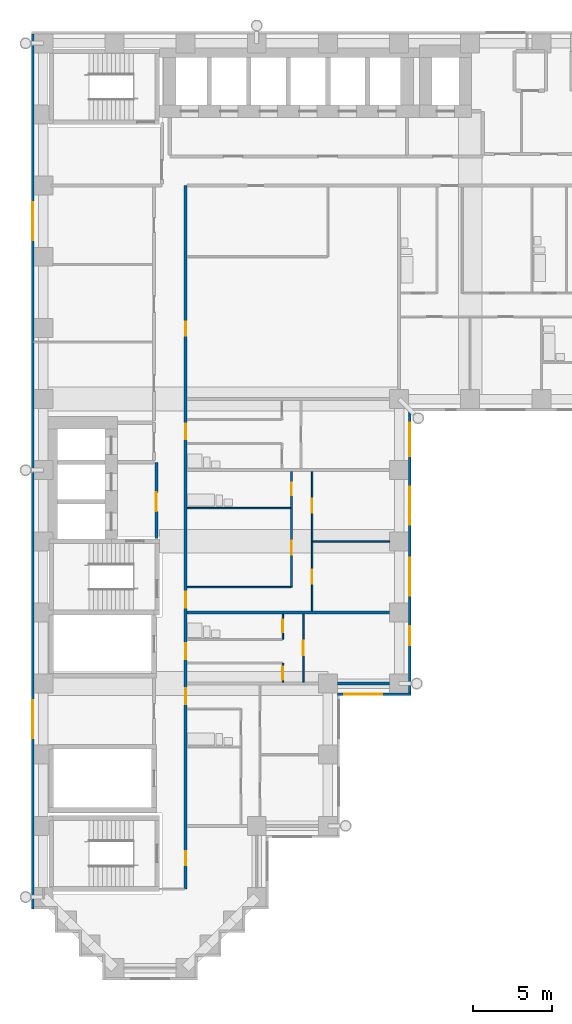
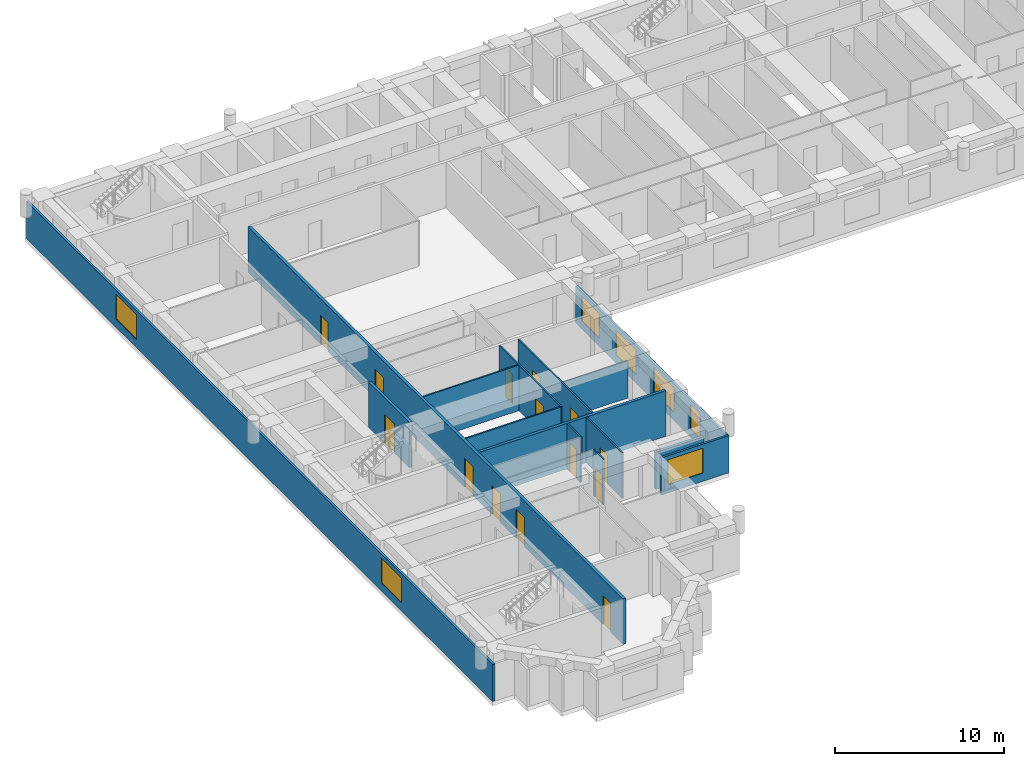
# One storey, part 6 of 14: 15 walls, 14 doors, 7 windows, 21 openings.
"""IFC4 building model written with IfcOpenShell, lengths in metres."""

from ifc_helpers import new_model, si_unit, direction, frame, frame_2d, origin, place, context, subcontext, project, spatial, rectangle, extrude, material, layer, layer_set, type_object, element, fill, save


model = new_model("IFC4")

# Units and contexts
model_context = context("Model", 3, precision=1e-05, world=origin(), true_north=direction((0.0, 1.0)))
body_context = subcontext(model_context, "Body", "Model", "MODEL_VIEW")
ifc_project = project(units=[si_unit("LENGTHUNIT", "METRE"), si_unit("AREAUNIT", "SQUARE_METRE"), si_unit("VOLUMEUNIT", "CUBIC_METRE"), si_unit("PLANEANGLEUNIT", "RADIAN"), si_unit("MASSUNIT", "GRAM", prefix="KILO")], contexts=[model_context])

# Site, building, storey
site_placement = place(None, origin())
site = spatial("IfcSite", under=ifc_project, at=site_placement, CompositionType="ELEMENT")
building_placement = place(site_placement, origin())
building = spatial("IfcBuilding", under=site, at=building_placement, Name="Firuza Court", CompositionType="ELEMENT")
storey_placement = place(building_placement, frame((0.0, 0.0, 47.0)))
storey = spatial("IfcBuildingStorey", under=building, at=storey_placement, Name="L10", CompositionType="ELEMENT", Elevation=47.0)

# Wall
ifc_material_1 = material(Name="Moisture-resistant gypsum board partition")
ifc_layer_1 = layer(ifc_material_1, 0.10009765625)
ifc_layer_set_1 = layer_set([ifc_layer_1], Name="Moisture-resistant gypsum board partition")
wall_type_1 = type_object("IfcWallType", Name="Bathroom partition 100", PredefinedType="PLUMBINGWALL", material=ifc_layer_set_1)
wall_1_placement = place(storey_placement, frame((9.10009765625, 29.10009765625, 0.0), z_axis=(0.0, 0.0, 1.0), x_axis=(1.0, 0.0, 0.0)))
element("IfcWall", 1, at=wall_1_placement, inside=storey, type_object=wall_type_1, Name="Bathroom partition 100 L10", PredefinedType="PLUMBINGWALL", context=body_context, shape_type="SweptSolid", body=[
    extrude(rectangle(XDim=6.5498046875, YDim=0.10009765625, at=frame_2d((3.27490234375, 0.0))), origin(), (0.0, 0.0, 1.0), 3.300048828125),
])

# Wall, openings, doors
ifc_material_2 = material(Name="Blockwork, plastered both sides", Category="masonry")
ifc_layer_2 = layer(ifc_material_2, 0.199951171875)
ifc_layer_set_2 = layer_set([ifc_layer_2], Name="Blockwork, plastered both sides")
wall_type_2 = type_object("IfcWallType", Name="Corridor wall 200", PredefinedType="PARTITIONING", material=ifc_layer_set_2)
wall_2_placement = place(storey_placement, frame((9.0, 5.0, 0.0), z_axis=(0.0, 0.0, 1.0), x_axis=(0.0, 1.0, 0.0)))
wall_2 = element("IfcWall", 2, at=wall_2_placement, inside=storey, type_object=wall_type_2, Name="Corridor wall 200 L10", PredefinedType="PARTITIONING", context=body_context, shape_type="SweptSolid", body=[
    extrude(rectangle(XDim=44.5, YDim=0.199951171875, at=frame_2d((22.25, 0.0))), origin(), (0.0, 0.0, 1.0), 3.300048828125),
])
opening_1_placement = place(wall_2_placement, frame((28.449951171875, 0.0, 0.0)))
opening_1 = element("IfcOpeningElement", 3, at=opening_1_placement, cuts=wall_2, Name="Opening D10019", PredefinedType="OPENING", context=body_context, shape_type="SweptSolid", body=[
    extrude(rectangle(XDim=1.0, YDim=2.10009765625, at=frame_2d((0.5, 1.050048828125))), frame((0.0, 0.11181640625, 0.0), z_axis=(0.0, -1.0, 0.0), x_axis=(1.0, 0.0, 0.0)), (0.0, 0.0, 1.0), 0.223876953125),
])
opening_2_placement = place(wall_2_placement, frame((17.800048828125, 0.0, 0.0)))
opening_2 = element("IfcOpeningElement", 4, at=opening_2_placement, cuts=wall_2, Name="Opening D10020", PredefinedType="OPENING", context=body_context, shape_type="SweptSolid", body=[
    extrude(rectangle(XDim=1.0, YDim=2.10009765625, at=frame_2d((0.5, 1.050048828125))), frame((0.0, 0.11181640625, 0.0), z_axis=(0.0, -1.0, 0.0), x_axis=(1.0, 0.0, 0.0)), (0.0, 0.0, 1.0), 0.223876953125),
])
opening_3_placement = place(wall_2_placement, frame((14.550048828125, 0.0, 0.0)))
opening_3 = element("IfcOpeningElement", 5, at=opening_3_placement, cuts=wall_2, Name="Opening D10021", PredefinedType="OPENING", context=body_context, shape_type="SweptSolid", body=[
    extrude(rectangle(XDim=1.0, YDim=2.10009765625, at=frame_2d((0.5, 1.050048828125))), frame((0.0, 0.11181640625, 0.0), z_axis=(0.0, -1.0, 0.0), x_axis=(1.0, 0.0, 0.0)), (0.0, 0.0, 1.0), 0.223876953125),
])
opening_4_placement = place(wall_2_placement, frame((11.699951171875, 0.0, 0.0)))
opening_4 = element("IfcOpeningElement", 6, at=opening_4_placement, cuts=wall_2, Name="Opening D10022", PredefinedType="OPENING", context=body_context, shape_type="SweptSolid", body=[
    extrude(rectangle(XDim=1.0, YDim=2.10009765625, at=frame_2d((0.5, 1.050048828125))), frame((0.0, 0.11181640625, 0.0), z_axis=(0.0, -1.0, 0.0), x_axis=(1.0, 0.0, 0.0)), (0.0, 0.0, 1.0), 0.223876953125),
])
opening_5_placement = place(wall_2_placement, frame((35.0, 0.0, 0.0)))
opening_5 = element("IfcOpeningElement", 7, at=opening_5_placement, cuts=wall_2, Name="Opening D10023", PredefinedType="OPENING", context=body_context, shape_type="SweptSolid", body=[
    extrude(rectangle(XDim=0.89990234375, YDim=2.10009765625, at=frame_2d((0.449951171875, 1.050048828125))), frame((0.0, 0.11181640625, 0.0), z_axis=(0.0, -1.0, 0.0), x_axis=(1.0, 0.0, 0.0)), (0.0, 0.0, 1.0), 0.223876953125),
])
opening_6_placement = place(wall_2_placement, frame((1.5, 0.0, 0.0)))
opening_6 = element("IfcOpeningElement", 8, at=opening_6_placement, cuts=wall_2, Name="Opening D10024", PredefinedType="OPENING", context=body_context, shape_type="SweptSolid", body=[
    extrude(rectangle(XDim=0.89990234375, YDim=2.10009765625, at=frame_2d((0.449951171875, 1.050048828125))), frame((0.0, 0.11181640625, 0.0), z_axis=(0.0, -1.0, 0.0), x_axis=(1.0, 0.0, 0.0)), (0.0, 0.0, 1.0), 0.223876953125),
])
ifc_material_3 = material(Name="Timber door leaf in hardwood frame", Category="wood")
door_type_1 = type_object("IfcDoorType", Name="Flat entrance door 1000", OperationType="SINGLE_SWING_LEFT", PredefinedType="DOOR", material=ifc_material_3)
door_1_placement = place(opening_1_placement, origin())
door_1 = element("IfcDoor", 9, at=door_1_placement, inside=storey, type_object=door_type_1, Name="Flat entrance door", OperationType="SINGLE_SWING_LEFT", OverallHeight=2.10009765625, OverallWidth=1.0, PredefinedType="DOOR", context=body_context, shape_type="SweptSolid", body=[
    extrude(rectangle(XDim=1.0, YDim=2.10009765625, at=frame_2d((0.5, 1.050048828125))), frame((0.0, 0.02490234375, 0.0), z_axis=(0.0, -1.0, 0.0), x_axis=(1.0, 0.0, 0.0)), (0.0, 0.0, 1.0), 0.050048828125),
])
fill(opening_1, door_1)
door_2_placement = place(opening_2_placement, origin())
door_2 = element("IfcDoor", 10, at=door_2_placement, inside=storey, type_object=door_type_1, Name="Flat entrance door", OperationType="SINGLE_SWING_LEFT", OverallHeight=2.10009765625, OverallWidth=1.0, PredefinedType="DOOR", context=body_context, shape_type="SweptSolid", body=[
    extrude(rectangle(XDim=1.0, YDim=2.10009765625, at=frame_2d((0.5, 1.050048828125))), frame((0.0, 0.02490234375, 0.0), z_axis=(0.0, -1.0, 0.0), x_axis=(1.0, 0.0, 0.0)), (0.0, 0.0, 1.0), 0.050048828125),
])
fill(opening_2, door_2)
door_3_placement = place(opening_3_placement, origin())
door_3 = element("IfcDoor", 11, at=door_3_placement, inside=storey, type_object=door_type_1, Name="Flat entrance door", OperationType="SINGLE_SWING_LEFT", OverallHeight=2.10009765625, OverallWidth=1.0, PredefinedType="DOOR", context=body_context, shape_type="SweptSolid", body=[
    extrude(rectangle(XDim=1.0, YDim=2.10009765625, at=frame_2d((0.5, 1.050048828125))), frame((0.0, 0.02490234375, 0.0), z_axis=(0.0, -1.0, 0.0), x_axis=(1.0, 0.0, 0.0)), (0.0, 0.0, 1.0), 0.050048828125),
])
fill(opening_3, door_3)
door_4_placement = place(opening_4_placement, origin())
door_4 = element("IfcDoor", 12, at=door_4_placement, inside=storey, type_object=door_type_1, Name="Flat entrance door", OperationType="SINGLE_SWING_LEFT", OverallHeight=2.10009765625, OverallWidth=1.0, PredefinedType="DOOR", context=body_context, shape_type="SweptSolid", body=[
    extrude(rectangle(XDim=1.0, YDim=2.10009765625, at=frame_2d((0.5, 1.050048828125))), frame((0.0, 0.02490234375, 0.0), z_axis=(0.0, -1.0, 0.0), x_axis=(1.0, 0.0, 0.0)), (0.0, 0.0, 1.0), 0.050048828125),
])
fill(opening_4, door_4)
ifc_material_4 = material(Name="Timber door leaf in hardwood frame", Category="wood")
door_type_2 = type_object("IfcDoorType", Name="Room door 900 EI 30", OperationType="SINGLE_SWING_LEFT", PredefinedType="DOOR", material=ifc_material_4)
door_5_placement = place(opening_5_placement, origin())
door_5 = element("IfcDoor", 13, at=door_5_placement, inside=storey, type_object=door_type_2, Name="Yoga studio door", OperationType="SINGLE_SWING_LEFT", OverallHeight=2.10009765625, OverallWidth=0.89990234375, PredefinedType="DOOR", context=body_context, shape_type="SweptSolid", body=[
    extrude(rectangle(XDim=0.89990234375, YDim=2.10009765625, at=frame_2d((0.449951171875, 1.050048828125))), frame((0.0, 0.02490234375, 0.0), z_axis=(0.0, -1.0, 0.0), x_axis=(1.0, 0.0, 0.0)), (0.0, 0.0, 1.0), 0.050048828125),
])
fill(opening_5, door_5)
door_6_placement = place(opening_6_placement, origin())
door_6 = element("IfcDoor", 14, at=door_6_placement, inside=storey, type_object=door_type_2, Name="Yoga studio door", OperationType="SINGLE_SWING_LEFT", OverallHeight=2.10009765625, OverallWidth=0.89990234375, PredefinedType="DOOR", context=body_context, shape_type="SweptSolid", body=[
    extrude(rectangle(XDim=0.89990234375, YDim=2.10009765625, at=frame_2d((0.449951171875, 1.050048828125))), frame((0.0, 0.02490234375, 0.0), z_axis=(0.0, -1.0, 0.0), x_axis=(1.0, 0.0, 0.0)), (0.0, 0.0, 1.0), 0.050048828125),
])
fill(opening_6, door_6)

# Wall, opening, door
ifc_material_5 = material(Name="Timber stud partition, plasterboard both sides", Category="wood")
ifc_layer_3 = layer(ifc_material_5, 0.10009765625)
ifc_layer_set_3 = layer_set([ifc_layer_3], Name="Timber stud partition, plasterboard both sides")
wall_type_3 = type_object("IfcWallType", Name="Partition wall 100", PredefinedType="PARTITIONING", material=ifc_layer_set_3)
wall_3_placement = place(storey_placement, frame((15.14990234375, 18.10009765625, 0.0), z_axis=(0.0, 0.0, 1.0), x_axis=(0.0, 1.0, 0.0)))
wall_3 = element("IfcWall", 15, at=wall_3_placement, inside=storey, type_object=wall_type_3, Name="Partition wall 100 L10", PredefinedType="PARTITIONING", context=body_context, shape_type="SweptSolid", body=[
    extrude(rectangle(XDim=1.199951171875, YDim=0.10009765625, at=frame_2d((0.60009765625, 0.0))), origin(), (0.0, 0.0, 1.0), 3.300048828125),
])
opening_7_placement = place(wall_3_placement, frame((0.14990234375, 0.0, 0.0)))
opening_7 = element("IfcOpeningElement", 16, at=opening_7_placement, cuts=wall_3, Name="Opening D10030", PredefinedType="OPENING", context=body_context, shape_type="SweptSolid", body=[
    extrude(rectangle(XDim=0.800048828125, YDim=2.10009765625, at=frame_2d((0.39990234375, 1.050048828125))), frame((0.0, 0.06201171875, 0.0), z_axis=(0.0, -1.0, 0.0), x_axis=(1.0, 0.0, 0.0)), (0.0, 0.0, 1.0), 0.1240234375),
])
ifc_material_6 = material(Name="Timber door leaf in hardwood frame", Category="wood")
door_type_3 = type_object("IfcDoorType", Name="Room door 800", OperationType="SINGLE_SWING_LEFT", PredefinedType="DOOR", material=ifc_material_6)
door_7_placement = place(opening_7_placement, origin())
door_7 = element("IfcDoor", 17, at=door_7_placement, inside=storey, type_object=door_type_3, Name="Kitchen door", OperationType="SINGLE_SWING_LEFT", OverallHeight=2.10009765625, OverallWidth=0.800048828125, PredefinedType="DOOR", context=body_context, shape_type="SweptSolid", body=[
    extrude(rectangle(XDim=0.800048828125, YDim=2.10009765625, at=frame_2d((0.39990234375, 1.050048828125))), frame((0.0, 0.02490234375, 0.0), z_axis=(0.0, -1.0, 0.0), x_axis=(1.0, 0.0, 0.0)), (0.0, 0.0, 1.0), 0.050048828125),
])
fill(opening_7, door_7)

wall_4_placement = place(storey_placement, frame((16.449951171875, 18.10009765625, 0.0), z_axis=(0.0, 0.0, 1.0), x_axis=(0.0, 1.0, 0.0)))
wall_4 = element("IfcWall", 18, at=wall_4_placement, inside=storey, type_object=wall_type_3, Name="Partition wall 100 L10", PredefinedType="PARTITIONING", context=body_context, shape_type="SweptSolid", body=[
    extrude(rectangle(XDim=4.2998046875, YDim=0.10009765625, at=frame_2d((2.14990234375, 0.0))), origin(), (0.0, 0.0, 1.0), 3.300048828125),
])
opening_8_placement = place(wall_4_placement, frame((1.699951171875, 0.0, 0.0)))
opening_8 = element("IfcOpeningElement", 19, at=opening_8_placement, cuts=wall_4, Name="Opening D10031", PredefinedType="OPENING", context=body_context, shape_type="SweptSolid", body=[
    extrude(rectangle(XDim=0.89990234375, YDim=2.10009765625, at=frame_2d((0.449951171875, 1.050048828125))), frame((0.0, 0.06201171875, 0.0), z_axis=(0.0, -1.0, 0.0), x_axis=(1.0, 0.0, 0.0)), (0.0, 0.0, 1.0), 0.1240234375),
])
ifc_material_7 = material(Name="Timber door leaf in hardwood frame", Category="wood")
door_type_4 = type_object("IfcDoorType", Name="Room door 900", OperationType="SINGLE_SWING_LEFT", PredefinedType="DOOR", material=ifc_material_7)
door_8_placement = place(opening_8_placement, frame((0.89990234375, 0.0, 0.0), z_axis=(0.0, 0.0, 1.0), x_axis=(-1.0, 0.0, 0.0)))
door_8 = element("IfcDoor", 20, at=door_8_placement, inside=storey, type_object=door_type_4, Name="Studio room door", OperationType="SINGLE_SWING_RIGHT", OverallHeight=2.10009765625, OverallWidth=0.89990234375, PredefinedType="DOOR", context=body_context, shape_type="SweptSolid", body=[
    extrude(rectangle(XDim=0.89990234375, YDim=2.10009765625, at=frame_2d((0.449951171875, 1.050048828125))), frame((0.0, 0.02490234375, 0.0), z_axis=(0.0, -1.0, 0.0), x_axis=(1.0, 0.0, 0.0)), (0.0, 0.0, 1.0), 0.050048828125),
])
fill(opening_8, door_8)

wall_5_placement = place(storey_placement, frame((15.14990234375, 20.800048828125, 0.0), z_axis=(0.0, 0.0, 1.0), x_axis=(0.0, 1.0, 0.0)))
wall_5 = element("IfcWall", 21, at=wall_5_placement, inside=storey, type_object=wall_type_3, Name="Partition wall 100 L10", PredefinedType="PARTITIONING", context=body_context, shape_type="SweptSolid", body=[
    extrude(rectangle(XDim=1.599853515625, YDim=0.10009765625, at=frame_2d((0.7998046875, 0.0))), origin(), (0.0, 0.0, 1.0), 3.300048828125),
])
opening_9_placement = place(wall_5_placement, frame((0.449951171875, 0.0, 0.0)))
opening_9 = element("IfcOpeningElement", 22, at=opening_9_placement, cuts=wall_5, Name="Opening D10032", PredefinedType="OPENING", context=body_context, shape_type="SweptSolid", body=[
    extrude(rectangle(XDim=0.800048828125, YDim=2.10009765625, at=frame_2d((0.39990234375, 1.050048828125))), frame((0.0, 0.06201171875, 0.0), z_axis=(0.0, -1.0, 0.0), x_axis=(1.0, 0.0, 0.0)), (0.0, 0.0, 1.0), 0.1240234375),
])
ifc_material_8 = material(Name="Timber door leaf in hardwood frame", Category="wood")
door_type_5 = type_object("IfcDoorType", Name="Bathroom door 800", OperationType="SINGLE_SWING_LEFT", PredefinedType="DOOR", material=ifc_material_8)
door_9_placement = place(opening_9_placement, origin())
door_9 = element("IfcDoor", 23, at=door_9_placement, inside=storey, type_object=door_type_5, Name="Bathroom door", OperationType="SINGLE_SWING_LEFT", OverallHeight=2.10009765625, OverallWidth=0.800048828125, PredefinedType="DOOR", context=body_context, shape_type="SweptSolid", body=[
    extrude(rectangle(XDim=0.800048828125, YDim=2.10009765625, at=frame_2d((0.39990234375, 1.050048828125))), frame((0.0, 0.02490234375, 0.0), z_axis=(0.0, -1.0, 0.0), x_axis=(1.0, 0.0, 0.0)), (0.0, 0.0, 1.0), 0.050048828125),
])
fill(opening_9, door_9)

# Wall, openings, doors
wall_6_placement = place(storey_placement, frame((17.0, 22.60009765625, 0.0), z_axis=(0.0, 0.0, 1.0), x_axis=(0.0, 1.0, 0.0)))
wall_6 = element("IfcWall", 24, at=wall_6_placement, inside=storey, type_object=wall_type_3, Name="Partition wall 100 L10", PredefinedType="PARTITIONING", context=body_context, shape_type="SweptSolid", body=[
    extrude(rectangle(XDim=8.7998046875, YDim=0.10009765625, at=frame_2d((4.39990234375, 0.0))), origin(), (0.0, 0.0, 1.0), 3.300048828125),
])
opening_10_placement = place(wall_6_placement, frame((1.699951171875, 0.0, 0.0)))
opening_10 = element("IfcOpeningElement", 25, at=opening_10_placement, cuts=wall_6, Name="Opening D10033", PredefinedType="OPENING", context=body_context, shape_type="SweptSolid", body=[
    extrude(rectangle(XDim=0.89990234375, YDim=2.10009765625, at=frame_2d((0.449951171875, 1.050048828125))), frame((0.0, 0.06201171875, 0.0), z_axis=(0.0, -1.0, 0.0), x_axis=(1.0, 0.0, 0.0)), (0.0, 0.0, 1.0), 0.1240234375),
])
opening_11_placement = place(wall_6_placement, frame((6.199951171875, 0.0, 0.0)))
opening_11 = element("IfcOpeningElement", 26, at=opening_11_placement, cuts=wall_6, Name="Opening D10034", PredefinedType="OPENING", context=body_context, shape_type="SweptSolid", body=[
    extrude(rectangle(XDim=0.89990234375, YDim=2.10009765625, at=frame_2d((0.449951171875, 1.050048828125))), frame((0.0, 0.06201171875, 0.0), z_axis=(0.0, -1.0, 0.0), x_axis=(1.0, 0.0, 0.0)), (0.0, 0.0, 1.0), 0.1240234375),
])
door_10_placement = place(opening_10_placement, frame((0.89990234375, 0.0, 0.0), z_axis=(0.0, 0.0, 1.0), x_axis=(-1.0, 0.0, 0.0)))
door_10 = element("IfcDoor", 27, at=door_10_placement, inside=storey, type_object=door_type_4, Name="Bedroom door", OperationType="SINGLE_SWING_RIGHT", OverallHeight=2.10009765625, OverallWidth=0.89990234375, PredefinedType="DOOR", context=body_context, shape_type="SweptSolid", body=[
    extrude(rectangle(XDim=0.89990234375, YDim=2.10009765625, at=frame_2d((0.449951171875, 1.050048828125))), frame((0.0, 0.02490234375, 0.0), z_axis=(0.0, -1.0, 0.0), x_axis=(1.0, 0.0, 0.0)), (0.0, 0.0, 1.0), 0.050048828125),
])
fill(opening_10, door_10)
door_11_placement = place(opening_11_placement, frame((0.89990234375, 0.0, 0.0), z_axis=(0.0, 0.0, 1.0), x_axis=(-1.0, 0.0, 0.0)))
door_11 = element("IfcDoor", 28, at=door_11_placement, inside=storey, type_object=door_type_4, Name="Living room door", OperationType="SINGLE_SWING_RIGHT", OverallHeight=2.10009765625, OverallWidth=0.89990234375, PredefinedType="DOOR", context=body_context, shape_type="SweptSolid", body=[
    extrude(rectangle(XDim=0.89990234375, YDim=2.10009765625, at=frame_2d((0.449951171875, 1.050048828125))), frame((0.0, 0.02490234375, 0.0), z_axis=(0.0, -1.0, 0.0), x_axis=(1.0, 0.0, 0.0)), (0.0, 0.0, 1.0), 0.050048828125),
])
fill(opening_11, door_11)

# Wall
wall_7_placement = place(storey_placement, frame((9.10009765625, 24.10009765625, 0.0), z_axis=(0.0, 0.0, 1.0), x_axis=(1.0, 0.0, 0.0)))
element("IfcWall", 29, at=wall_7_placement, inside=storey, type_object=wall_type_3, Name="Partition wall 100 L10", PredefinedType="PARTITIONING", context=body_context, shape_type="SweptSolid", body=[
    extrude(rectangle(XDim=6.5498046875, YDim=0.10009765625, at=frame_2d((3.27490234375, 0.0))), origin(), (0.0, 0.0, 1.0), 3.300048828125),
])

# Wall, openings, doors
wall_8_placement = place(storey_placement, frame((15.699951171875, 24.10009765625, 0.0), z_axis=(0.0, 0.0, 1.0), x_axis=(0.0, 1.0, 0.0)))
wall_8 = element("IfcWall", 30, at=wall_8_placement, inside=storey, type_object=wall_type_3, Name="Partition wall 100 L10", PredefinedType="PARTITIONING", context=body_context, shape_type="SweptSolid", body=[
    extrude(rectangle(XDim=7.2998046875, YDim=0.10009765625, at=frame_2d((3.64990234375, 0.0))), origin(), (0.0, 0.0, 1.0), 3.300048828125),
])
opening_12_placement = place(wall_8_placement, frame((5.800048828125, 0.0, 0.0)))
opening_12 = element("IfcOpeningElement", 31, at=opening_12_placement, cuts=wall_8, Name="Opening D10035", PredefinedType="OPENING", context=body_context, shape_type="SweptSolid", body=[
    extrude(rectangle(XDim=0.800048828125, YDim=2.10009765625, at=frame_2d((0.39990234375, 1.050048828125))), frame((0.0, 0.06201171875, 0.0), z_axis=(0.0, -1.0, 0.0), x_axis=(1.0, 0.0, 0.0)), (0.0, 0.0, 1.0), 0.1240234375),
])
opening_13_placement = place(wall_8_placement, frame((2.050048828125, 0.0, 0.0)))
opening_13 = element("IfcOpeningElement", 32, at=opening_13_placement, cuts=wall_8, Name="Opening D10036", PredefinedType="OPENING", context=body_context, shape_type="SweptSolid", body=[
    extrude(rectangle(XDim=0.89990234375, YDim=2.10009765625, at=frame_2d((0.449951171875, 1.050048828125))), frame((0.0, 0.06201171875, 0.0), z_axis=(0.0, -1.0, 0.0), x_axis=(1.0, 0.0, 0.0)), (0.0, 0.0, 1.0), 0.1240234375),
])
door_12_placement = place(opening_12_placement, origin())
door_12 = element("IfcDoor", 33, at=door_12_placement, inside=storey, type_object=door_type_5, Name="Bathroom door", OperationType="SINGLE_SWING_LEFT", OverallHeight=2.10009765625, OverallWidth=0.800048828125, PredefinedType="DOOR", context=body_context, shape_type="SweptSolid", body=[
    extrude(rectangle(XDim=0.800048828125, YDim=2.10009765625, at=frame_2d((0.39990234375, 1.050048828125))), frame((0.0, 0.02490234375, 0.0), z_axis=(0.0, -1.0, 0.0), x_axis=(1.0, 0.0, 0.0)), (0.0, 0.0, 1.0), 0.050048828125),
])
fill(opening_12, door_12)
door_13_placement = place(opening_13_placement, origin())
door_13 = element("IfcDoor", 34, at=door_13_placement, inside=storey, type_object=door_type_4, Name="Kitchen door", OperationType="SINGLE_SWING_LEFT", OverallHeight=2.10009765625, OverallWidth=0.89990234375, PredefinedType="DOOR", context=body_context, shape_type="SweptSolid", body=[
    extrude(rectangle(XDim=0.89990234375, YDim=2.10009765625, at=frame_2d((0.449951171875, 1.050048828125))), frame((0.0, 0.02490234375, 0.0), z_axis=(0.0, -1.0, 0.0), x_axis=(1.0, 0.0, 0.0)), (0.0, 0.0, 1.0), 0.050048828125),
])
fill(opening_13, door_13)

# Walls
wall_9_placement = place(storey_placement, frame((17.050048828125, 27.0, 0.0), z_axis=(0.0, 0.0, 1.0), x_axis=(1.0, 0.0, 0.0)))
element("IfcWall", 35, at=wall_9_placement, inside=storey, type_object=wall_type_3, Name="Partition wall 100 L10", PredefinedType="PARTITIONING", context=body_context, shape_type="SweptSolid", body=[
    extrude(rectangle(XDim=4.849853515625, YDim=0.10009765625, at=frame_2d((2.4248046875, 0.0))), origin(), (0.0, 0.0, 1.0), 2.699951171875),
])
ifc_layer_4 = layer(ifc_material_2, 0.199951171875)
ifc_layer_set_4 = layer_set([ifc_layer_4], Name="Blockwork, plastered both sides")
wall_type_4 = type_object("IfcWallType", Name="Party wall 200", PredefinedType="PARTITIONING", material=ifc_layer_set_4)
wall_10_placement = place(storey_placement, frame((18.60009765625, 18.0, 0.0), z_axis=(0.0, 0.0, 1.0), x_axis=(1.0, 0.0, 0.0)))
element("IfcWall", 36, at=wall_10_placement, inside=storey, type_object=wall_type_4, Name="Party wall 200 L10", PredefinedType="PARTITIONING", context=body_context, shape_type="SweptSolid", body=[
    extrude(rectangle(XDim=3.2998046875, YDim=0.199951171875, at=frame_2d((1.64990234375, 0.0))), origin(), (0.0, 0.0, 1.0), 2.699951171875),
])
wall_11_placement = place(storey_placement, frame((9.10009765625, 22.5, 0.0), z_axis=(0.0, 0.0, 1.0), x_axis=(1.0, 0.0, 0.0)))
element("IfcWall", 37, at=wall_11_placement, inside=storey, type_object=wall_type_4, Name="Party wall 200 L10", PredefinedType="PARTITIONING", context=body_context, shape_type="SweptSolid", body=[
    extrude(rectangle(XDim=12.7998046875, YDim=0.199951171875, at=frame_2d((6.39990234375, 0.0))), origin(), (0.0, 0.0, 1.0), 3.300048828125),
])

# Wall, opening, window
ifc_material_9 = material(Name="Ceramic tile", Category="ceramic")
ifc_layer_5 = layer(ifc_material_9, 0.02001953125)
ifc_material_10 = material(Name="Mineral wool insulation", Category="insulation")
ifc_layer_6 = layer(ifc_material_10, 0.050048828125)
ifc_material_11 = material(Name="Concrete C40/50 precast", Category="concrete")
ifc_layer_7 = layer(ifc_material_11, 0.080078125)
ifc_layer_set_5 = layer_set([ifc_layer_5, ifc_layer_6, ifc_layer_7], Name="Concrete C40/50 precast")
wall_type_5 = type_object("IfcWallType", Name="Precast cladding wall with turquoise TILE PANEL face 150", PredefinedType="STANDARD", material=ifc_layer_set_5)
wall_12_placement = place(storey_placement, frame((18.60009765625, 17.324951171875, 0.0), z_axis=(0.0, 0.0, 1.0), x_axis=(1.0, 0.0, 0.0)))
wall_12 = element("IfcWall", 38, at=wall_12_placement, inside=storey, type_object=wall_type_5, Name="Facade wall L10 S", PredefinedType="STANDARD", context=body_context, shape_type="SweptSolid", body=[
    extrude(rectangle(XDim=4.64990234375, YDim=0.14990234375, at=frame_2d((2.324951171875, 0.0))), origin(), (0.0, 0.0, 1.0), 2.699951171875),
])
opening_14_placement = place(wall_12_placement, frame((0.449951171875, 0.0, 0.60009765625)))
opening_14 = element("IfcOpeningElement", 39, at=opening_14_placement, cuts=wall_12, Name="Opening W1", PredefinedType="OPENING", context=body_context, shape_type="SweptSolid", body=[
    extrude(rectangle(XDim=2.39990234375, YDim=1.800048828125, at=frame_2d((1.199951171875, 0.89990234375))), frame((0.0, 0.0869140625, 0.0), z_axis=(0.0, -1.0, 0.0), x_axis=(1.0, 0.0, 0.0)), (0.0, 0.0, 1.0), 0.173828125),
])
ifc_material_12 = material(Name="Aluminium frame, triple clear glazing", Category="aluminium")
window_type_1 = type_object("IfcWindowType", Name="Window W1 2400 x 1800", PartitioningType="SINGLE_PANEL", PredefinedType="WINDOW", material=ifc_material_12)
window_1_placement = place(opening_14_placement, origin())
window_1 = element("IfcWindow", 40, at=window_1_placement, inside=storey, type_object=window_type_1, Name="Window L10", OverallHeight=1.800048828125, OverallWidth=2.39990234375, PartitioningType="SINGLE_PANEL", PredefinedType="WINDOW", context=body_context, shape_type="SweptSolid", body=[
    extrude(rectangle(XDim=2.39990234375, YDim=1.800048828125, at=frame_2d((1.199951171875, 0.89990234375))), frame((0.0, 0.030029296875, 0.0), z_axis=(0.0, -1.0, 0.0), x_axis=(1.0, 0.0, 0.0)), (0.0, 0.0, 1.0), 0.06005859375),
])
fill(opening_14, window_1)

# Wall, openings, windows
wall_13_placement = place(storey_placement, frame((23.175048828125, 17.39990234375, 0.0), z_axis=(0.0, 0.0, 1.0), x_axis=(0.0, 1.0, 0.0)))
wall_13 = element("IfcWall", 41, at=wall_13_placement, inside=storey, type_object=wall_type_5, Name="Facade wall L10 E", PredefinedType="STANDARD", context=body_context, shape_type="SweptSolid", body=[
    extrude(rectangle(XDim=17.85009765625, YDim=0.14990234375, at=frame_2d((8.925048828125, 0.0))), origin(), (0.0, 0.0, 1.0), 2.699951171875),
])
opening_15_placement = place(wall_13_placement, frame((3.029541015625, 0.0, 0.60009765625)))
opening_15 = element("IfcOpeningElement", 42, at=opening_15_placement, cuts=wall_13, Name="Opening W8", PredefinedType="OPENING", context=body_context, shape_type="SweptSolid", body=[
    extrude(rectangle(XDim=1.199951171875, YDim=1.800048828125, at=frame_2d((0.60009765625, 0.89990234375))), frame((0.0, 0.0869140625, 0.0), z_axis=(0.0, -1.0, 0.0), x_axis=(1.0, 0.0, 0.0)), (0.0, 0.0, 1.0), 0.173828125),
])
opening_16_placement = place(wall_13_placement, frame((6.14990234375, 0.0, 0.60009765625)))
opening_16 = element("IfcOpeningElement", 43, at=opening_16_placement, cuts=wall_13, Name="Opening W1", PredefinedType="OPENING", context=body_context, shape_type="SweptSolid", body=[
    extrude(rectangle(XDim=2.39990234375, YDim=1.800048828125, at=frame_2d((1.199951171875, 0.89990234375))), frame((0.0, 0.0869140625, 0.0), z_axis=(0.0, -1.0, 0.0), x_axis=(1.0, 0.0, 0.0)), (0.0, 0.0, 1.0), 0.173828125),
])
opening_17_placement = place(wall_13_placement, frame((10.64990234375, 0.0, 0.60009765625)))
opening_17 = element("IfcOpeningElement", 44, at=opening_17_placement, cuts=wall_13, Name="Opening W1", PredefinedType="OPENING", context=body_context, shape_type="SweptSolid", body=[
    extrude(rectangle(XDim=2.39990234375, YDim=1.800048828125, at=frame_2d((1.199951171875, 0.89990234375))), frame((0.0, 0.0869140625, 0.0), z_axis=(0.0, -1.0, 0.0), x_axis=(1.0, 0.0, 0.0)), (0.0, 0.0, 1.0), 0.173828125),
])
opening_18_placement = place(wall_13_placement, frame((14.992431640625, 0.0, 0.60009765625)))
opening_18 = element("IfcOpeningElement", 45, at=opening_18_placement, cuts=wall_13, Name="Opening W6", PredefinedType="OPENING", context=body_context, shape_type="SweptSolid", body=[
    extrude(rectangle(XDim=2.10009765625, YDim=1.800048828125, at=frame_2d((1.050048828125, 0.89990234375))), frame((0.0, 0.0869140625, 0.0), z_axis=(0.0, -1.0, 0.0), x_axis=(1.0, 0.0, 0.0)), (0.0, 0.0, 1.0), 0.173828125),
])
window_2_placement = place(opening_16_placement, origin())
window_2 = element("IfcWindow", 46, at=window_2_placement, inside=storey, type_object=window_type_1, Name="Window L10", OverallHeight=1.800048828125, OverallWidth=2.39990234375, PartitioningType="SINGLE_PANEL", PredefinedType="WINDOW", context=body_context, shape_type="SweptSolid", body=[
    extrude(rectangle(XDim=2.39990234375, YDim=1.800048828125, at=frame_2d((1.199951171875, 0.89990234375))), frame((0.0, 0.030029296875, 0.0), z_axis=(0.0, -1.0, 0.0), x_axis=(1.0, 0.0, 0.0)), (0.0, 0.0, 1.0), 0.06005859375),
])
fill(opening_16, window_2)
window_3_placement = place(opening_17_placement, origin())
window_3 = element("IfcWindow", 47, at=window_3_placement, inside=storey, type_object=window_type_1, Name="Window L10", OverallHeight=1.800048828125, OverallWidth=2.39990234375, PartitioningType="SINGLE_PANEL", PredefinedType="WINDOW", context=body_context, shape_type="SweptSolid", body=[
    extrude(rectangle(XDim=2.39990234375, YDim=1.800048828125, at=frame_2d((1.199951171875, 0.89990234375))), frame((0.0, 0.030029296875, 0.0), z_axis=(0.0, -1.0, 0.0), x_axis=(1.0, 0.0, 0.0)), (0.0, 0.0, 1.0), 0.06005859375),
])
fill(opening_17, window_3)
ifc_material_13 = material(Name="Aluminium frame, triple clear glazing", Category="aluminium")
window_type_2 = type_object("IfcWindowType", Name="Window W6 2100 x 1800", PartitioningType="SINGLE_PANEL", PredefinedType="WINDOW", material=ifc_material_13)
window_4_placement = place(opening_18_placement, origin())
window_4 = element("IfcWindow", 48, at=window_4_placement, inside=storey, type_object=window_type_2, Name="Window L10", OverallHeight=1.800048828125, OverallWidth=2.10009765625, PartitioningType="SINGLE_PANEL", PredefinedType="WINDOW", context=body_context, shape_type="SweptSolid", body=[
    extrude(rectangle(XDim=2.10009765625, YDim=1.800048828125, at=frame_2d((1.050048828125, 0.89990234375))), frame((0.0, 0.030029296875, 0.0), z_axis=(0.0, -1.0, 0.0), x_axis=(1.0, 0.0, 0.0)), (0.0, 0.0, 1.0), 0.06005859375),
])
fill(opening_18, window_4)
ifc_material_14 = material(Name="Aluminium frame, triple clear glazing", Category="aluminium")
window_type_3 = type_object("IfcWindowType", Name="Window W8 1200 x 1800", PartitioningType="SINGLE_PANEL", PredefinedType="WINDOW", material=ifc_material_14)
window_5_placement = place(opening_15_placement, origin())
window_5 = element("IfcWindow", 49, at=window_5_placement, inside=storey, type_object=window_type_3, Name="Window L10", OverallHeight=1.800048828125, OverallWidth=1.199951171875, PartitioningType="SINGLE_PANEL", PredefinedType="WINDOW", context=body_context, shape_type="SweptSolid", body=[
    extrude(rectangle(XDim=1.199951171875, YDim=1.800048828125, at=frame_2d((0.60009765625, 0.89990234375))), frame((0.0, 0.030029296875, 0.0), z_axis=(0.0, -1.0, 0.0), x_axis=(1.0, 0.0, 0.0)), (0.0, 0.0, 1.0), 0.06005859375),
])
fill(opening_15, window_5)

wall_14_placement = place(storey_placement, frame((-0.675048828125, 59.10009765625, 0.0), z_axis=(0.0, 0.0, 1.0), x_axis=(0.0, -1.0, 0.0)))
wall_14 = element("IfcWall", 50, at=wall_14_placement, inside=storey, type_object=wall_type_5, Name="Facade wall L10 W", PredefinedType="STANDARD", context=body_context, shape_type="SweptSolid", body=[
    extrude(rectangle(XDim=55.35009765625, YDim=0.14990234375, at=frame_2d((27.675048828125, 0.0))), origin(), (0.0, 0.0, 1.0), 2.699951171875),
])
opening_19_placement = place(wall_14_placement, frame((10.64990234375, 0.0, 0.60009765625)))
opening_19 = element("IfcOpeningElement", 51, at=opening_19_placement, cuts=wall_14, Name="Opening W1", PredefinedType="OPENING", context=body_context, shape_type="SweptSolid", body=[
    extrude(rectangle(XDim=2.39990234375, YDim=1.800048828125, at=frame_2d((1.199951171875, 0.89990234375))), frame((0.0, 0.0869140625, 0.0), z_axis=(0.0, -1.0, 0.0), x_axis=(1.0, 0.0, 0.0)), (0.0, 0.0, 1.0), 0.173828125),
])
opening_20_placement = place(wall_14_placement, frame((42.14990234375, 0.0, 0.60009765625)))
opening_20 = element("IfcOpeningElement", 52, at=opening_20_placement, cuts=wall_14, Name="Opening W1", PredefinedType="OPENING", context=body_context, shape_type="SweptSolid", body=[
    extrude(rectangle(XDim=2.39990234375, YDim=1.800048828125, at=frame_2d((1.199951171875, 0.89990234375))), frame((0.0, 0.0869140625, 0.0), z_axis=(0.0, -1.0, 0.0), x_axis=(1.0, 0.0, 0.0)), (0.0, 0.0, 1.0), 0.173828125),
])
window_6_placement = place(opening_19_placement, origin())
window_6 = element("IfcWindow", 53, at=window_6_placement, inside=storey, type_object=window_type_1, Name="Window L10", OverallHeight=1.800048828125, OverallWidth=2.39990234375, PartitioningType="SINGLE_PANEL", PredefinedType="WINDOW", context=body_context, shape_type="SweptSolid", body=[
    extrude(rectangle(XDim=2.39990234375, YDim=1.800048828125, at=frame_2d((1.199951171875, 0.89990234375))), frame((0.0, 0.030029296875, 0.0), z_axis=(0.0, -1.0, 0.0), x_axis=(1.0, 0.0, 0.0)), (0.0, 0.0, 1.0), 0.06005859375),
])
fill(opening_19, window_6)
window_7_placement = place(opening_20_placement, origin())
window_7 = element("IfcWindow", 54, at=window_7_placement, inside=storey, type_object=window_type_1, Name="Window L10", OverallHeight=1.800048828125, OverallWidth=2.39990234375, PartitioningType="SINGLE_PANEL", PredefinedType="WINDOW", context=body_context, shape_type="SweptSolid", body=[
    extrude(rectangle(XDim=2.39990234375, YDim=1.800048828125, at=frame_2d((1.199951171875, 0.89990234375))), frame((0.0, 0.030029296875, 0.0), z_axis=(0.0, -1.0, 0.0), x_axis=(1.0, 0.0, 0.0)), (0.0, 0.0, 1.0), 0.06005859375),
])
fill(opening_20, window_7)

# Wall, opening, door
ifc_material_15 = material(Name="Blockwork, fire-rated", Category="masonry")
ifc_layer_8 = layer(ifc_material_15, 0.199951171875)
ifc_layer_set_6 = layer_set([ifc_layer_8], Name="Blockwork, fire-rated")
wall_type_6 = type_object("IfcWallType", Name="Shaft wall 200", PredefinedType="PARTITIONING", material=ifc_layer_set_6)
wall_15_placement = place(storey_placement, frame((7.14990234375, 27.169921875, 0.0), z_axis=(0.0, 0.0, 1.0), x_axis=(0.0, 1.0, 0.0)))
wall_15 = element("IfcWall", 55, at=wall_15_placement, inside=storey, type_object=wall_type_6, Name="Shaft wall 200 L10", PredefinedType="PARTITIONING", context=body_context, shape_type="SweptSolid", body=[
    extrude(rectangle(XDim=4.830078125, YDim=0.199951171875, at=frame_2d((2.4150390625, 0.0))), origin(), (0.0, 0.0, 1.0), 3.300048828125),
])
opening_21_placement = place(wall_15_placement, frame((1.72998046875, 0.0, 0.0)))
opening_21 = element("IfcOpeningElement", 56, at=opening_21_placement, cuts=wall_15, Name="Opening D10002", PredefinedType="OPENING", context=body_context, shape_type="SweptSolid", body=[
    extrude(rectangle(XDim=1.199951171875, YDim=2.10009765625, at=frame_2d((0.60009765625, 1.050048828125))), frame((0.0, 0.11181640625, 0.0), z_axis=(0.0, -1.0, 0.0), x_axis=(1.0, 0.0, 0.0)), (0.0, 0.0, 1.0), 0.223876953125),
])
ifc_material_16 = material(Name="Timber door leaf in hardwood frame", Category="wood")
door_type_6 = type_object("IfcDoorType", Name="Lobby door 1200", OperationType="SINGLE_SWING_LEFT", PredefinedType="DOOR", material=ifc_material_16)
door_14_placement = place(opening_21_placement, origin())
door_14 = element("IfcDoor", 57, at=door_14_placement, inside=storey, type_object=door_type_6, Name="Fire-fighting lobby door", OperationType="SINGLE_SWING_LEFT", OverallHeight=2.10009765625, OverallWidth=1.199951171875, PredefinedType="DOOR", context=body_context, shape_type="SweptSolid", body=[
    extrude(rectangle(XDim=1.199951171875, YDim=2.10009765625, at=frame_2d((0.60009765625, 1.050048828125))), frame((0.0, 0.02490234375, 0.0), z_axis=(0.0, -1.0, 0.0), x_axis=(1.0, 0.0, 0.0)), (0.0, 0.0, 1.0), 0.050048828125),
])
fill(opening_21, door_14)

save(model, "model.ifc")
